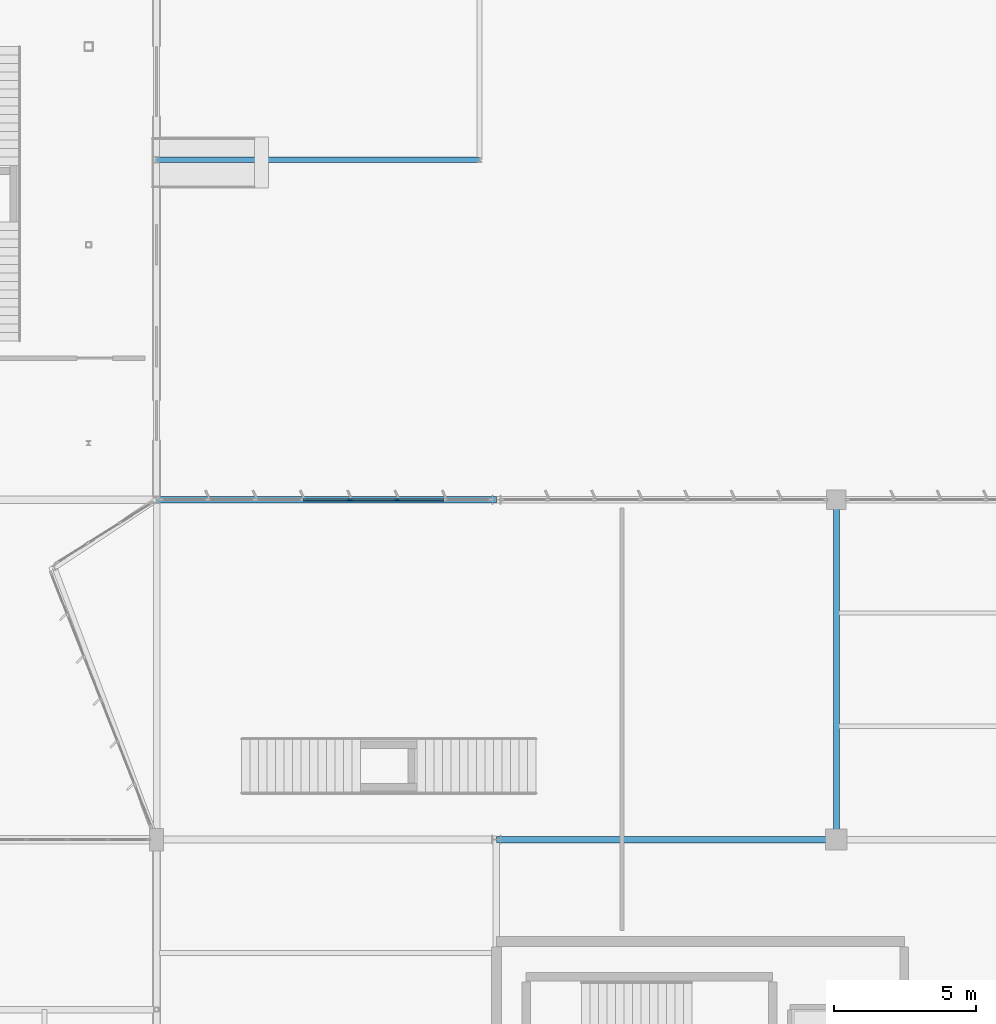
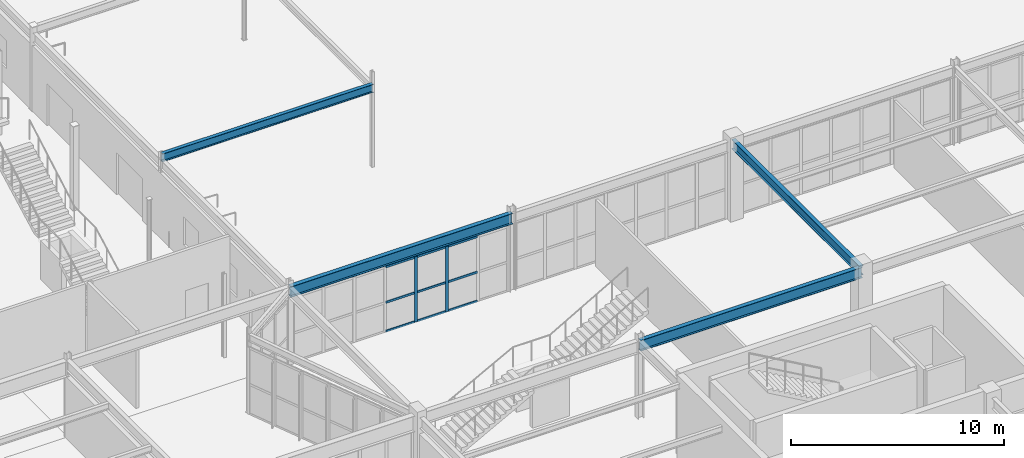
# One storey, part 95 of 199: 11 members, 4 beams, 1 element without a shape of its own.
"""IFC4 building model written with IfcOpenShell, lengths in metres."""

from ifc_helpers import new_model, si_unit, direction, frame, origin, origin_2d, place, context, subcontext, project, spatial, rectangle, i_section, extrude, material, layer, layer_set, material_profile, profile_set, type_object, element, aggregate, save


model = new_model("IFC4")

# Units and contexts
model_context = context("Model", 3, precision=1e-05, world=origin(), true_north=direction((0.0, 1.0)))
body_context = subcontext(model_context, "Body", "Model", "MODEL_VIEW")
ifc_project = project(units=[si_unit("LENGTHUNIT", "METRE"), si_unit("AREAUNIT", "SQUARE_METRE"), si_unit("VOLUMEUNIT", "CUBIC_METRE"), si_unit("PLANEANGLEUNIT", "RADIAN"), si_unit("MASSUNIT", "GRAM", prefix="KILO")], contexts=[model_context])

# Site, building, storey
site_placement = place(None, origin())
site = spatial("IfcSite", under=ifc_project, at=site_placement, CompositionType="ELEMENT")
building_placement = place(site_placement, origin())
building = spatial("IfcBuilding", under=site, at=building_placement, Name="Tarnwether General Hospital", CompositionType="ELEMENT")
storey_placement = place(building_placement, origin())
storey = spatial("IfcBuildingStorey", under=building, at=storey_placement, Name="L00", CompositionType="ELEMENT", Elevation=0.0)

# Beams
ifc_material_1 = material(Name="Steel Grade 350 (350 MPa)", Category="steel")
ifc_material_profile_1 = material_profile(ifc_material_1, i_section(OverallWidth=0.22900390625, OverallDepth=0.612060546875, WebThickness=0.011962890625, FlangeThickness=0.01953125, at=origin_2d()), Name="610UB125")
ifc_profile_set_1 = profile_set([ifc_material_profile_1], Name="Steel Grade 350 (350 MPa)")
beam_type_1 = type_object("IfcBeamType", Name="BM-G03", PredefinedType="BEAM", material=ifc_profile_set_1)
for number, where, z_axis, x_axis, name in (
    (1, (144.0, 45.60009765625, 4.138916015625), (1.0, 0.0, 0.0), (0.0, 1.0, 0.0), "Primary Girder BMG-L00-14400_4560-15600_4560-0792"),
    (2, (156.0, 33.60009765625, 4.138916015625), (1.0, 0.0, 0.0), (0.0, 1.0, 0.0), "Primary Girder BMG-L00-15600_3360-16800_3360-0811"),
):
    element("IfcBeam", number, at=place(storey_placement, frame(where, z_axis=z_axis, x_axis=x_axis)), inside=storey, type_object=beam_type_1, Name=name, PredefinedType="BEAM", context=body_context, shape_type="SweptSolid", body=[
        extrude(i_section(OverallWidth=0.22900390625, OverallDepth=0.612060546875, WebThickness=0.011962890625, FlangeThickness=0.01953125, at=origin_2d()), origin(), (0.0, 0.0, 1.0), 12.0),
    ])
ifc_material_2 = material(Name="Steel Grade 350 (350 MPa)", Category="steel")
ifc_material_profile_2 = material_profile(ifc_material_2, i_section(OverallWidth=0.208984375, OverallDepth=0.528076171875, WebThickness=0.009521484375, FlangeThickness=0.01318359375, at=origin_2d()), Name="530UB82.0")
ifc_profile_set_2 = profile_set([ifc_material_profile_2], Name="Steel Grade 350 (350 MPa)")
beam_type_2 = type_object("IfcBeamType", Name="BM-G07", PredefinedType="BEAM", material=ifc_profile_set_2)
beam_1_placement = place(storey_placement, frame((168.0, 33.60009765625, 4.180908203125), z_axis=(0.0, 1.0, 0.0), x_axis=(-1.0, 0.0, 0.0)))
element("IfcBeam", 3, at=beam_1_placement, inside=storey, type_object=beam_type_2, Name="Primary Girder BMG-L00-16800_3360-16800_4560-0827", PredefinedType="BEAM", context=body_context, shape_type="SweptSolid", body=[
    extrude(i_section(OverallWidth=0.208984375, OverallDepth=0.528076171875, WebThickness=0.009521484375, FlangeThickness=0.01318359375, at=origin_2d()), origin(), (0.0, 0.0, 1.0), 12.0),
])
ifc_material_3 = material(Name="Steel Grade 350 (350 MPa)", Category="steel")
ifc_material_profile_3 = material_profile(ifc_material_3, i_section(OverallWidth=0.19091796875, OverallDepth=0.4599609375, WebThickness=0.010009765625, FlangeThickness=0.01611328125, at=origin_2d()), Name="460UB82.1")
ifc_profile_set_3 = profile_set([ifc_material_profile_3], Name="Steel Grade 350 (350 MPa)")
beam_type_3 = type_object("IfcBeamType", Name="BM-G08", PredefinedType="BEAM", material=ifc_profile_set_3)
beam_2_placement = place(storey_placement, frame((144.0, 57.60009765625, 4.52001953125), z_axis=(1.0, 0.0, 0.0), x_axis=(0.0, 1.0, 0.0)))
element("IfcBeam", 4, at=beam_2_placement, inside=storey, type_object=beam_type_3, Name="Entrance Canopy Girder BMG-L00-14400_5760-15540_5760-1882", PredefinedType="BEAM", context=body_context, shape_type="SweptSolid", body=[
    extrude(i_section(OverallWidth=0.19091796875, OverallDepth=0.4599609375, WebThickness=0.010009765625, FlangeThickness=0.01611328125, at=origin_2d()), origin(), (0.0, 0.0, 1.0), 11.39990234375),
])

# Curtain wall, members
ifc_material_4 = material(Name="Anodised aluminium", Category="aluminium")
ifc_layer = layer(ifc_material_4, 0.159912109375)
ifc_layer_set = layer_set([ifc_layer], Name="Anodised aluminium")
curtain_wall_type = type_object("IfcCurtainWallType", Name="CW-20", PredefinedType="NOTDEFINED", material=ifc_layer_set)
curtain_wall_placement = place(storey_placement, origin())
curtain_wall = element("IfcCurtainWall", 5, at=curtain_wall_placement, inside=storey, type_object=curtain_wall_type, Name="Curtain Wall CWG-L00-1441_456-0286", PredefinedType="NOTDEFINED")
ifc_material_5 = material(Name="Anodised aluminium", Category="aluminium")
ifc_material_profile_4 = material_profile(ifc_material_5, rectangle(XDim=0.06005859375, YDim=0.159912109375, at=origin_2d()), Name="ALU-MUL-60x160")
ifc_profile_set_4 = profile_set([ifc_material_profile_4], Name="Anodised aluminium")
member_type_1 = type_object("IfcMemberType", Name="CW-ML1", PredefinedType="MULLION", material=ifc_profile_set_4)
member_1_placement = place(storey_placement, frame((150.822509765625, 45.60009765625, 0.0), z_axis=(0.0, 0.0, 1.0), x_axis=(0.0, 1.0, 0.0)))
member_1 = element("IfcMember", 6, at=member_1_placement, type_object=member_type_1, Name="CW-20 mullion 5", PredefinedType="MULLION", context=body_context, shape_type="SweptSolid", body=[
    extrude(rectangle(XDim=0.06005859375, YDim=0.159912109375, at=origin_2d()), origin(), (0.0, 0.0, 1.0), 3.738037109375),
])
member_2_placement = place(storey_placement, frame((152.494384765625, 45.60009765625, 0.0), z_axis=(0.0, 0.0, 1.0), x_axis=(0.0, 1.0, 0.0)))
member_2 = element("IfcMember", 7, at=member_2_placement, type_object=member_type_1, Name="CW-20 mullion 6", PredefinedType="MULLION", context=body_context, shape_type="SweptSolid", body=[
    extrude(rectangle(XDim=0.06005859375, YDim=0.159912109375, at=origin_2d()), origin(), (0.0, 0.0, 1.0), 3.738037109375),
])
ifc_material_6 = material(Name="Anodised aluminium", Category="aluminium")
ifc_material_profile_5 = material_profile(ifc_material_6, rectangle(XDim=0.06005859375, YDim=0.1201171875, at=origin_2d()), Name="ALU-TRN-60x120")
ifc_profile_set_5 = profile_set([ifc_material_profile_5], Name="Anodised aluminium")
member_type_2 = type_object("IfcMemberType", Name="CW-TR1", PredefinedType="USERDEFINED", material=ifc_profile_set_5)
member_3_placement = place(storey_placement, frame((149.1806640625, 45.60009765625, 0.030029296875), z_axis=(1.0, 0.0, 0.0), x_axis=(0.0, 1.0, 0.0)))
member_3 = element("IfcMember", 8, at=member_3_placement, type_object=member_type_2, Name="CW-20 transom 4.1", ObjectType="TRANSOM", PredefinedType="USERDEFINED", context=body_context, shape_type="SweptSolid", body=[
    extrude(rectangle(XDim=0.06005859375, YDim=0.1201171875, at=origin_2d()), origin(), (0.0, 0.0, 1.0), 1.61181640625),
])
member_4_placement = place(storey_placement, frame((149.1806640625, 45.60009765625, 1.68212890625), z_axis=(1.0, 0.0, 0.0), x_axis=(0.0, 1.0, 0.0)))
member_4 = element("IfcMember", 9, at=member_4_placement, type_object=member_type_2, Name="CW-20 transom 4.2", ObjectType="TRANSOM", PredefinedType="USERDEFINED", context=body_context, shape_type="SweptSolid", body=[
    extrude(rectangle(XDim=0.06005859375, YDim=0.1201171875, at=origin_2d()), origin(), (0.0, 0.0, 1.0), 1.61181640625),
])
member_5_placement = place(storey_placement, frame((149.1806640625, 45.60009765625, 3.7080078125), z_axis=(1.0, 0.0, 0.0), x_axis=(0.0, 1.0, 0.0)))
member_5 = element("IfcMember", 10, at=member_5_placement, type_object=member_type_2, Name="CW-20 transom 4.3", ObjectType="TRANSOM", PredefinedType="USERDEFINED", context=body_context, shape_type="SweptSolid", body=[
    extrude(rectangle(XDim=0.06005859375, YDim=0.1201171875, at=origin_2d()), origin(), (0.0, 0.0, 1.0), 1.61181640625),
])
member_6_placement = place(storey_placement, frame((150.8525390625, 45.60009765625, 0.030029296875), z_axis=(1.0, 0.0, 0.0), x_axis=(0.0, 1.0, 0.0)))
member_6 = element("IfcMember", 11, at=member_6_placement, type_object=member_type_2, Name="CW-20 transom 5.1", ObjectType="TRANSOM", PredefinedType="USERDEFINED", context=body_context, shape_type="SweptSolid", body=[
    extrude(rectangle(XDim=0.06005859375, YDim=0.1201171875, at=origin_2d()), origin(), (0.0, 0.0, 1.0), 1.61181640625),
])
member_7_placement = place(storey_placement, frame((150.8525390625, 45.60009765625, 1.68212890625), z_axis=(1.0, 0.0, 0.0), x_axis=(0.0, 1.0, 0.0)))
member_7 = element("IfcMember", 12, at=member_7_placement, type_object=member_type_2, Name="CW-20 transom 5.2", ObjectType="TRANSOM", PredefinedType="USERDEFINED", context=body_context, shape_type="SweptSolid", body=[
    extrude(rectangle(XDim=0.06005859375, YDim=0.1201171875, at=origin_2d()), origin(), (0.0, 0.0, 1.0), 1.61181640625),
])
member_8_placement = place(storey_placement, frame((150.8525390625, 45.60009765625, 3.7080078125), z_axis=(1.0, 0.0, 0.0), x_axis=(0.0, 1.0, 0.0)))
member_8 = element("IfcMember", 13, at=member_8_placement, type_object=member_type_2, Name="CW-20 transom 5.3", ObjectType="TRANSOM", PredefinedType="USERDEFINED", context=body_context, shape_type="SweptSolid", body=[
    extrude(rectangle(XDim=0.06005859375, YDim=0.1201171875, at=origin_2d()), origin(), (0.0, 0.0, 1.0), 1.61181640625),
])
member_9_placement = place(storey_placement, frame((152.524169921875, 45.60009765625, 0.030029296875), z_axis=(1.0, 0.0, 0.0), x_axis=(0.0, 1.0, 0.0)))
member_9 = element("IfcMember", 14, at=member_9_placement, type_object=member_type_2, Name="CW-20 transom 6.1", ObjectType="TRANSOM", PredefinedType="USERDEFINED", context=body_context, shape_type="SweptSolid", body=[
    extrude(rectangle(XDim=0.06005859375, YDim=0.1201171875, at=origin_2d()), origin(), (0.0, 0.0, 1.0), 1.612060546875),
])
member_10_placement = place(storey_placement, frame((152.524169921875, 45.60009765625, 1.68212890625), z_axis=(1.0, 0.0, 0.0), x_axis=(0.0, 1.0, 0.0)))
member_10 = element("IfcMember", 15, at=member_10_placement, type_object=member_type_2, Name="CW-20 transom 6.2", ObjectType="TRANSOM", PredefinedType="USERDEFINED", context=body_context, shape_type="SweptSolid", body=[
    extrude(rectangle(XDim=0.06005859375, YDim=0.1201171875, at=origin_2d()), origin(), (0.0, 0.0, 1.0), 1.612060546875),
])
member_11_placement = place(storey_placement, frame((152.524169921875, 45.60009765625, 3.7080078125), z_axis=(1.0, 0.0, 0.0), x_axis=(0.0, 1.0, 0.0)))
member_11 = element("IfcMember", 16, at=member_11_placement, type_object=member_type_2, Name="CW-20 transom 6.3", ObjectType="TRANSOM", PredefinedType="USERDEFINED", context=body_context, shape_type="SweptSolid", body=[
    extrude(rectangle(XDim=0.06005859375, YDim=0.1201171875, at=origin_2d()), origin(), (0.0, 0.0, 1.0), 1.612060546875),
])
aggregate(curtain_wall, [member_1, member_2, member_3, member_4, member_5, member_6, member_7, member_8, member_9, member_10, member_11])

save(model, "model.ifc")
